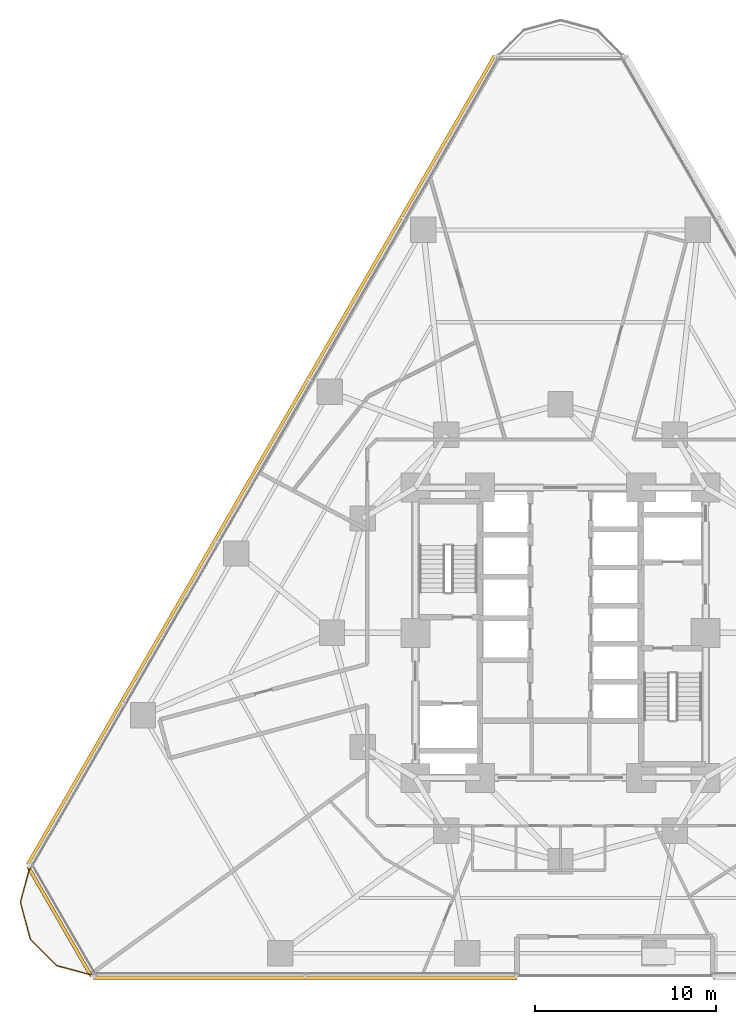
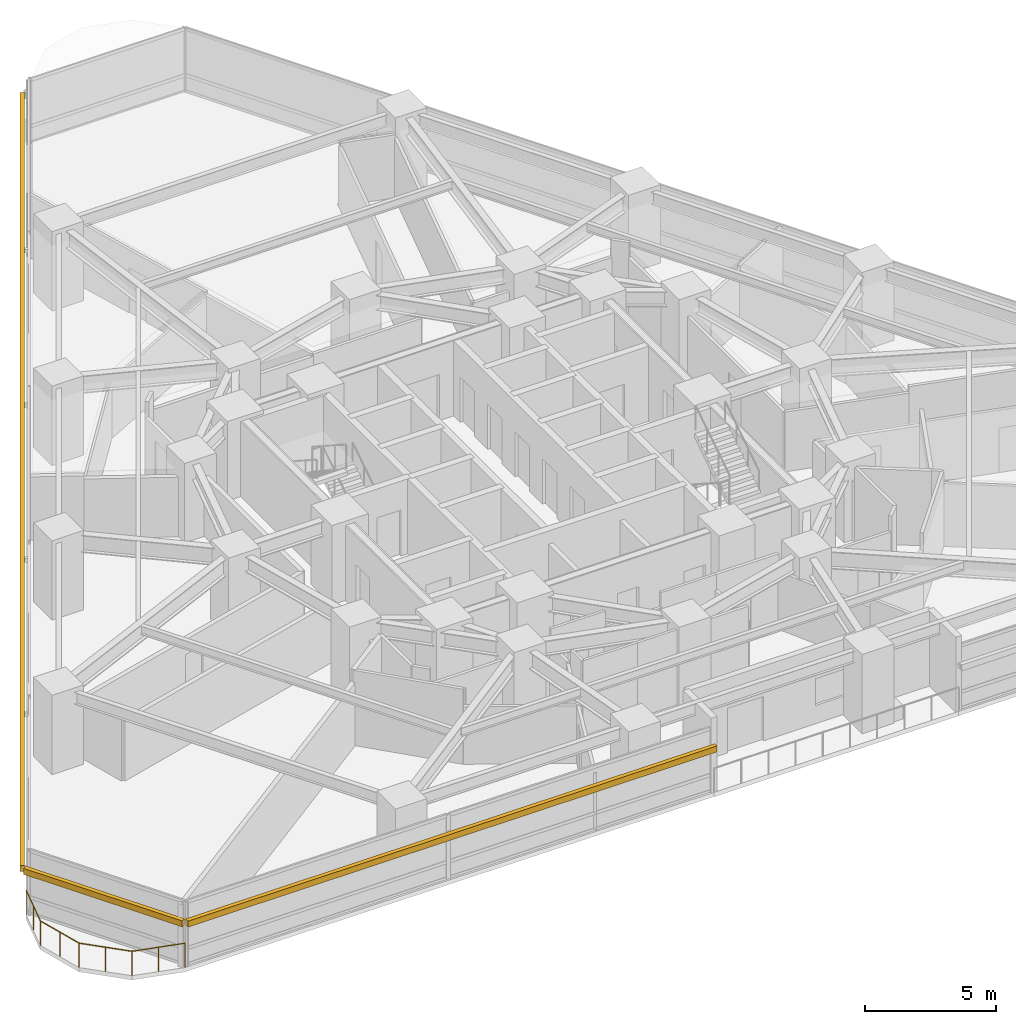
# One storey, part 13 of 16: 3 shading devices, 1 railing.
"""IFC4 building model written with IfcOpenShell, lengths in metres."""

from ifc_helpers import new_model, si_unit, direction, frame, origin, origin_2d, place, context, subcontext, project, spatial, rectangle, circle, extrude, material, layer, layer_set, type_object, element, save


model = new_model("IFC4")

# Units and contexts
model_context = context("Model", 3, precision=1e-05, world=origin(), true_north=direction((0.0, 1.0)))
body_context = subcontext(model_context, "Body", "Model", "MODEL_VIEW")
ifc_project = project(units=[si_unit("LENGTHUNIT", "METRE"), si_unit("AREAUNIT", "SQUARE_METRE"), si_unit("VOLUMEUNIT", "CUBIC_METRE"), si_unit("PLANEANGLEUNIT", "RADIAN"), si_unit("MASSUNIT", "GRAM", prefix="KILO")], contexts=[model_context])

# Site, building, storey
site_placement = place(None, origin())
site = spatial("IfcSite", under=ifc_project, at=site_placement, CompositionType="ELEMENT")
building_placement = place(site_placement, origin())
building = spatial("IfcBuilding", under=site, at=building_placement, Name="Terralouvre Media Tower", CompositionType="ELEMENT")
storey_placement = place(building_placement, frame((0.0, 0.0, 44.5)))
storey = spatial("IfcBuildingStorey", under=building, at=storey_placement, Name="L10", CompositionType="ELEMENT", Elevation=44.5)

# Railing
ifc_material_1 = material(Name="Stainless steel 316 handrail and balustrade", Category="steel")
ifc_layer = layer(ifc_material_1, 0.06005859375, Name="Roof Edge Safety Guardrail GR-ROOF1")
ifc_layer_set = layer_set([ifc_layer], Name="Stainless steel 316 handrail and balustrade")
railing_type = type_object("IfcRailingType", Name="Roof Edge Safety Guardrail GR-ROOF1", PredefinedType="GUARDRAIL", material=ifc_layer_set)
railing_placement = place(storey_placement, frame((-29.24365234375, -12.835693359375, 0.0)))
element("IfcRailing", 1, at=railing_placement, inside=storey, type_object=railing_type, Name="L10 Wind-Corner Perimeter Safety Guardrail C0", PredefinedType="GUARDRAIL", context=body_context, shape_type="SweptSolid", body=[
    extrude(circle(Radius=0.02099609375, at=origin_2d()), frame((0.0, 0.0, 1.12890625), z_axis=(-0.259054358605, -0.965862743503, 0.0), x_axis=(0.965862743503, -0.259054358605, 0.0)), (0.0, 0.0, 1.0), 2.095947265625),
    extrude(circle(Radius=0.02099609375, at=origin_2d()), frame((-0.54296875, -2.0244140625, 1.12890625), z_axis=(0.258757438042, -0.965942331745, 0.0), x_axis=(0.965942331745, 0.258757438042, 0.0)), (0.0, 0.0, 1.0), 2.095458984375),
    extrude(circle(Radius=0.02099609375, at=origin_2d()), frame((-0.000732421875, -4.048583984375, 1.12890625), z_axis=(0.707165029613, -0.707048527961, 0.0), x_axis=(0.707048527961, 0.707165029613, 0.0)), (0.0, 0.0, 1.0), 2.095703125),
    extrude(circle(Radius=0.02099609375, at=origin_2d()), frame((1.481201171875, -5.5302734375, 1.12890625), z_axis=(0.965987029675, -0.258590522836, 0.0), x_axis=(0.258590522836, 0.965987029675, 0.0)), (0.0, 0.0, 1.0), 2.095947265625),
    extrude(circle(Radius=0.01904296875, at=origin_2d()), origin(), (0.0, 0.0, 1.0), 1.10791015625),
    extrude(circle(Radius=0.01904296875, at=origin_2d()), frame((-0.271484375, -1.01220703125, 0.0)), (0.0, 0.0, 1.0), 1.10791015625),
    extrude(circle(Radius=0.01904296875, at=origin_2d()), frame((-0.54296875, -2.0244140625, 0.0)), (0.0, 0.0, 1.0), 1.10791015625),
    extrude(circle(Radius=0.01904296875, at=origin_2d()), frame((-0.27197265625, -3.03662109375, 0.0)), (0.0, 0.0, 1.0), 1.10791015625),
    extrude(circle(Radius=0.01904296875, at=origin_2d()), frame((-0.000732421875, -4.048583984375, 0.0)), (0.0, 0.0, 1.0), 1.10791015625),
    extrude(circle(Radius=0.01904296875, at=origin_2d()), frame((0.740234375, -4.78955078125, 0.0)), (0.0, 0.0, 1.0), 1.10791015625),
    extrude(circle(Radius=0.01904296875, at=origin_2d()), frame((1.481201171875, -5.5302734375, 0.0)), (0.0, 0.0, 1.0), 1.10791015625),
    extrude(circle(Radius=0.01904296875, at=origin_2d()), frame((2.49365234375, -5.80126953125, 0.0)), (0.0, 0.0, 1.0), 1.10791015625),
    extrude(circle(Radius=0.01904296875, at=origin_2d()), frame((3.505859375, -6.072265625, 0.0)), (0.0, 0.0, 1.0), 1.10791015625),
])

# Shading devices
ifc_material_2 = material(Name="Extruded terracotta baguette sunshade louvres", Category="masonry")
shading_device_type = type_object("IfcShadingDeviceType", Name="Terracotta Baguette Sunshade Louvre Screen TB-LV1", PredefinedType="USERDEFINED", material=ifc_material_2)
shading_device_1_placement = place(storey_placement, frame((-14.074951171875, -19.056884765625, 2.02392578125), z_axis=(0.0, 0.0, 1.0), x_axis=(1.0, 0.0, 0.0)))
element("IfcShadingDevice", 2, at=shading_device_1_placement, inside=storey, type_object=shading_device_type, Name="CW-L10-F0L Terracotta Baguette Sunshade Louvre", ObjectType="BAGUETTE", PredefinedType="USERDEFINED", context=body_context, shape_type="SweptSolid", body=[
    extrude(rectangle(XDim=23.35009765625, YDim=0.179931640625, at=origin_2d()), origin(), (0.0, 0.0, 1.0), 0.280029296875),
])
shading_device_2_placement = place(storey_placement, frame((-16.503662109375, 9.5283203125, 2.02392578125), z_axis=(0.0, 0.0, 1.0), x_axis=(-0.499999985671, -0.866025412057, 0.0)))
element("IfcShadingDevice", 3, at=shading_device_2_placement, inside=storey, type_object=shading_device_type, Name="CW-L10-F2 Terracotta Baguette Sunshade Louvre", ObjectType="BAGUETTE", PredefinedType="USERDEFINED", context=body_context, shape_type="SweptSolid", body=[
    extrude(rectangle(XDim=51.5, YDim=0.179931640625, at=origin_2d()), origin(), (0.0, 0.0, 1.0), 0.280029296875),
])
shading_device_3_placement = place(storey_placement, frame((-27.607666015625, -15.939208984375, 2.02392578125), z_axis=(0.0, 0.0, 1.0), x_axis=(0.499999691503, -0.866025581895, 0.0)))
element("IfcShadingDevice", 4, at=shading_device_3_placement, inside=storey, type_object=shading_device_type, Name="CW-L10-C0 Terracotta Baguette Sunshade Louvre", ObjectType="BAGUETTE", PredefinedType="USERDEFINED", context=body_context, shape_type="SweptSolid", body=[
    extrude(rectangle(XDim=7.014892578125, YDim=0.179931640625, at=origin_2d()), origin(), (0.0, 0.0, 1.0), 0.280029296875),
])

save(model, "model.ifc")
